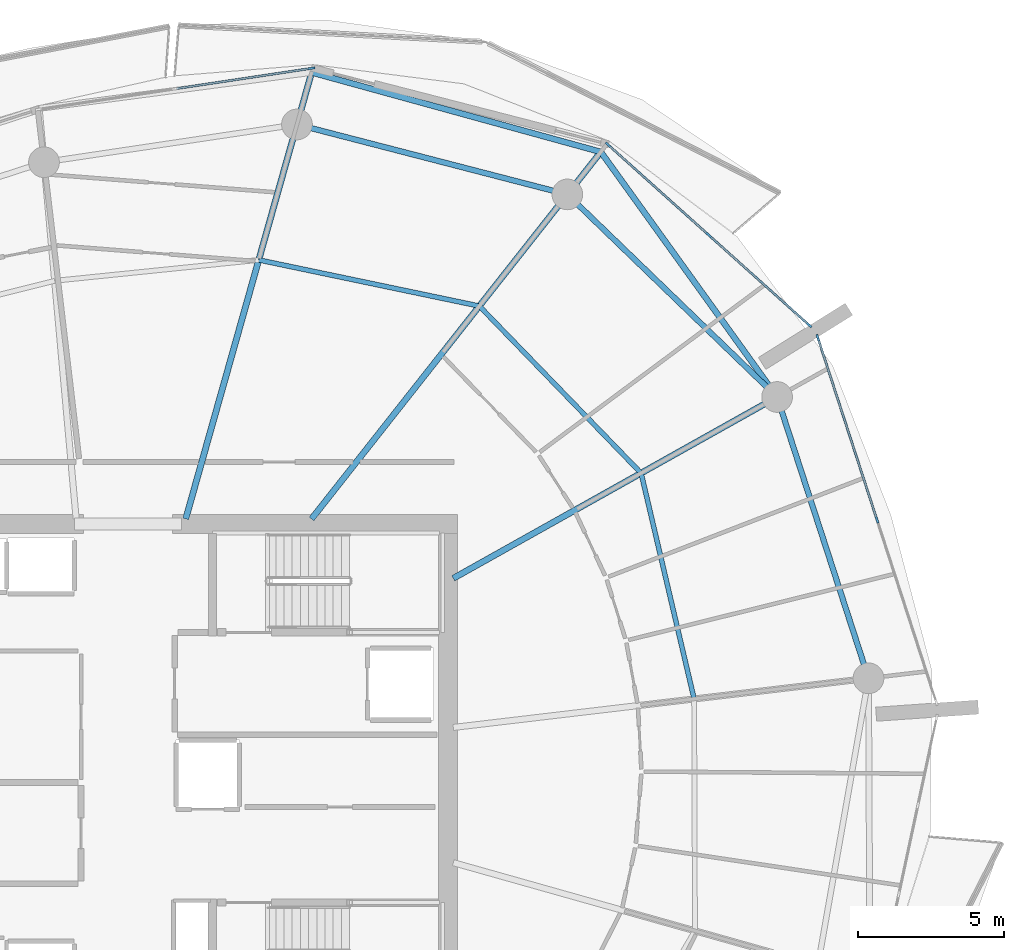
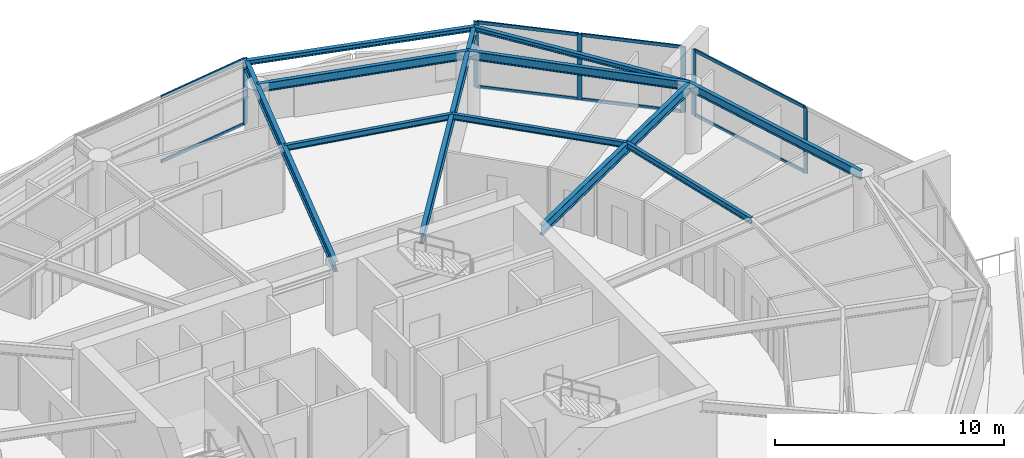
# One storey, part 9 of 20: 14 members, 11 beams, 3 elements without a shape of their own.
"""IFC4 building model written with IfcOpenShell, lengths in metres."""

from ifc_helpers import new_model, si_unit, direction, frame, origin, origin_2d, place, context, subcontext, project, spatial, rectangle, i_section, extrude, material, layer, layer_set, material_profile, profile_set, type_object, element, aggregate, save


model = new_model("IFC4")

# Units and contexts
model_context = context("Model", 3, precision=1e-05, world=origin(), true_north=direction((0.0, 1.0)))
body_context = subcontext(model_context, "Body", "Model", "MODEL_VIEW")
ifc_project = project(units=[si_unit("LENGTHUNIT", "METRE"), si_unit("AREAUNIT", "SQUARE_METRE"), si_unit("VOLUMEUNIT", "CUBIC_METRE"), si_unit("PLANEANGLEUNIT", "RADIAN"), si_unit("MASSUNIT", "GRAM", prefix="KILO")], contexts=[model_context])

# Site, building, storey
site_placement = place(None, origin())
site = spatial("IfcSite", under=ifc_project, at=site_placement, CompositionType="ELEMENT")
building_placement = place(site_placement, origin())
building = spatial("IfcBuilding", under=site, at=building_placement, Name="Kazma Halo Residences", CompositionType="ELEMENT")
storey_placement = place(building_placement, frame((0.0, 0.0, 206.550048828125)))
storey = spatial("IfcBuildingStorey", under=building, at=storey_placement, Name="L52", CompositionType="ELEMENT", Elevation=206.550048828125)

# Beams
ifc_material_1 = material(Name="Steel S355", Category="steel")
ifc_material_profile_1 = material_profile(ifc_material_1, i_section(OverallWidth=0.201904296875, OverallDepth=0.2470703125, WebThickness=0.00732421875, FlangeThickness=0.010986328125, FilletRadius=0.011962890625, at=origin_2d()), Name="W250x49.1")
ifc_profile_set_1 = profile_set([ifc_material_profile_1], Name="Steel S355")
beam_type_1 = type_object("IfcBeamType", Name="BM-BAL-CANT", PredefinedType="BEAM", material=ifc_profile_set_1)
beam_1_placement = place(storey_placement, frame((70.625, 54.670654296875, 3.37646484375), z_axis=(-0.583963922576, 0.811779611181, 0.0), x_axis=(-0.811779611181, -0.583963922576, 0.0)))
element("IfcBeam", 1, at=beam_1_placement, inside=storey, type_object=beam_type_1, Name="L52 wave-balcony lead tie beam 01", PredefinedType="BEAM", context=body_context, shape_type="SweptSolid", body=[
    extrude(i_section(OverallWidth=0.201904296875, OverallDepth=0.2470703125, WebThickness=0.00732421875, FlangeThickness=0.010986328125, FilletRadius=0.011962890625, at=origin_2d()), origin(), (0.0, 0.0, 1.0), 10.324462890625),
])
beam_2_placement = place(storey_placement, frame((64.595947265625, 63.0517578125, 3.37646484375), z_axis=(-0.964197026197, 0.265186905169, 0.0), x_axis=(-0.265186905169, -0.964197026197, 0.0)))
element("IfcBeam", 2, at=beam_2_placement, inside=storey, type_object=beam_type_1, Name="L52 wave-balcony tie beam 02", PredefinedType="BEAM", context=body_context, shape_type="SweptSolid", body=[
    extrude(i_section(OverallWidth=0.201904296875, OverallDepth=0.2470703125, WebThickness=0.00732421875, FlangeThickness=0.010986328125, FilletRadius=0.011962890625, at=origin_2d()), origin(), (0.0, 0.0, 1.0), 10.258544921875),
])
ifc_material_profile_2 = material_profile(ifc_material_1, i_section(OverallWidth=0.208984375, OverallDepth=0.532958984375, WebThickness=0.01025390625, FlangeThickness=0.015625, FilletRadius=0.01611328125, at=origin_2d()), Name="W530x92")
ifc_profile_set_2 = profile_set([ifc_material_profile_2], Name="Steel S355")
beam_type_2 = type_object("IfcBeamType", Name="BM-RAD-W530", PredefinedType="BEAM", material=ifc_profile_set_2)
beam_3_placement = place(storey_placement, frame((59.550048828125, 48.46826171875, 3.2333984375), z_axis=(0.872491912539, 0.488628552742, 0.0), x_axis=(-0.488628552742, 0.872491912539, 0.0)))
element("IfcBeam", 3, at=beam_3_placement, inside=storey, type_object=beam_type_2, Name="L52 radial floor beam 01", PredefinedType="BEAM", context=body_context, shape_type="SweptSolid", body=[
    extrude(i_section(OverallWidth=0.208984375, OverallDepth=0.532958984375, WebThickness=0.01025390625, FlangeThickness=0.015625, FilletRadius=0.01611328125, at=origin_2d()), origin(), (0.0, 0.0, 1.0), 12.693359375),
])
beam_4_placement = place(storey_placement, frame((54.700927734375, 50.5, 3.2333984375), z_axis=(0.61909439419, 0.785316580165, 0.0), x_axis=(-0.785316580165, 0.61909439419, 0.0)))
element("IfcBeam", 4, at=beam_4_placement, inside=storey, type_object=beam_type_2, Name="L52 radial floor beam 02", PredefinedType="BEAM", context=body_context, shape_type="SweptSolid", body=[
    extrude(i_section(OverallWidth=0.208984375, OverallDepth=0.532958984375, WebThickness=0.01025390625, FlangeThickness=0.015625, FilletRadius=0.01611328125, at=origin_2d()), origin(), (0.0, 0.0, 1.0), 15.983154296875),
])
beam_5_placement = place(storey_placement, frame((50.397216796875, 50.5, 3.2333984375), z_axis=(0.271449932859, 0.962452561922, 0.0), x_axis=(-0.962452561922, 0.271449932859, 0.0)))
element("IfcBeam", 5, at=beam_5_placement, inside=storey, type_object=beam_type_2, Name="L52 radial floor beam 03", PredefinedType="BEAM", context=body_context, shape_type="SweptSolid", body=[
    extrude(i_section(OverallWidth=0.208984375, OverallDepth=0.532958984375, WebThickness=0.01025390625, FlangeThickness=0.015625, FilletRadius=0.01611328125, at=origin_2d()), origin(), (0.0, 0.0, 1.0), 15.867919921875),
])
ifc_material_profile_3 = material_profile(ifc_material_1, i_section(OverallWidth=0.1650390625, OverallDepth=0.31005859375, WebThickness=0.005859375, FlangeThickness=0.009765625, FilletRadius=0.011962890625, at=origin_2d()), Name="W310x38.7")
ifc_profile_set_3 = profile_set([ifc_material_profile_3], Name="Steel S355")
beam_type_3 = type_object("IfcBeamType", Name="BM-SEC-W310B", PredefinedType="JOIST", material=ifc_profile_set_3)
beam_6_placement = place(storey_placement, frame((65.9736328125, 52.065673828125, 3.344970703125), z_axis=(-0.695659633946, 0.718371542934, 0.0), x_axis=(-0.718371542934, -0.695659633946, 0.0)))
element("IfcBeam", 6, at=beam_6_placement, inside=storey, type_object=beam_type_3, Name="L52 circumferential floor joist 01", PredefinedType="JOIST", context=body_context, shape_type="SweptSolid", body=[
    extrude(i_section(OverallWidth=0.1650390625, OverallDepth=0.31005859375, WebThickness=0.005859375, FlangeThickness=0.009765625, FilletRadius=0.011962890625, at=origin_2d()), origin(), (0.0, 0.0, 1.0), 7.95458984375),
])
beam_7_placement = place(storey_placement, frame((60.43994140625, 57.780029296875, 3.344970703125), z_axis=(-0.978821484976, 0.204715657802, 0.0), x_axis=(-0.204715657802, -0.978821484976, 0.0)))
element("IfcBeam", 7, at=beam_7_placement, inside=storey, type_object=beam_type_3, Name="L52 circumferential floor joist 02", PredefinedType="JOIST", context=body_context, shape_type="SweptSolid", body=[
    extrude(i_section(OverallWidth=0.1650390625, OverallDepth=0.31005859375, WebThickness=0.005859375, FlangeThickness=0.009765625, FilletRadius=0.011962890625, at=origin_2d()), origin(), (0.0, 0.0, 1.0), 7.707763671875),
])
beam_8_placement = place(storey_placement, frame((67.787109375, 44.341796875, 3.344970703125), z_axis=(-0.228572787048, 0.973526826041, 0.0), x_axis=(-0.973526826041, -0.228572787048, 0.0)))
element("IfcBeam", 8, at=beam_8_placement, inside=storey, type_object=beam_type_3, Name="L52 circumferential floor joist 16", PredefinedType="JOIST", context=body_context, shape_type="SweptSolid", body=[
    extrude(i_section(OverallWidth=0.1650390625, OverallDepth=0.31005859375, WebThickness=0.005859375, FlangeThickness=0.009765625, FilletRadius=0.011962890625, at=origin_2d()), origin(), (0.0, 0.0, 1.0), 7.933837890625),
])
ifc_material_profile_4 = material_profile(ifc_material_1, i_section(OverallWidth=0.18994140625, OverallDepth=0.45703125, WebThickness=0.009033203125, FlangeThickness=0.014404296875, FilletRadius=0.01611328125, at=origin_2d()), Name="W460x74")
ifc_profile_set_4 = profile_set([ifc_material_profile_4], Name="Steel S355")
beam_type_4 = type_object("IfcBeamType", Name="BM-SPN-W460", PredefinedType="BEAM", material=ifc_profile_set_4)
beam_9_placement = place(storey_placement, frame((70.625, 54.670654296875, 3.271484375), z_axis=(-0.71933650181, 0.694661786169, 0.0), x_axis=(-0.694661786169, -0.71933650181, 0.0)))
element("IfcBeam", 9, at=beam_9_placement, inside=storey, type_object=beam_type_4, Name="L52 perimeter ring beam 01", PredefinedType="BEAM", context=body_context, shape_type="SweptSolid", body=[
    extrude(i_section(OverallWidth=0.18994140625, OverallDepth=0.45703125, WebThickness=0.009033203125, FlangeThickness=0.014404296875, FilletRadius=0.01611328125, at=origin_2d()), origin(), (0.0, 0.0, 1.0), 9.9736328125),
])
beam_10_placement = place(storey_placement, frame((63.45068359375, 61.598876953125, 3.271484375), z_axis=(-0.968120950739, 0.25048318255, 0.0), x_axis=(-0.25048318255, -0.968120950739, 0.0)))
element("IfcBeam", 10, at=beam_10_placement, inside=storey, type_object=beam_type_4, Name="L52 perimeter ring beam 02", PredefinedType="BEAM", context=body_context, shape_type="SweptSolid", body=[
    extrude(i_section(OverallWidth=0.18994140625, OverallDepth=0.45703125, WebThickness=0.009033203125, FlangeThickness=0.014404296875, FilletRadius=0.01611328125, at=origin_2d()), origin(), (0.0, 0.0, 1.0), 9.552734375),
])
beam_11_placement = place(storey_placement, frame((73.751708984375, 45.0478515625, 3.271484375), z_axis=(-0.309023327426, 0.951054458539, 0.0), x_axis=(-0.951054458539, -0.309023327426, 0.0)))
element("IfcBeam", 11, at=beam_11_placement, inside=storey, type_object=beam_type_4, Name="L52 perimeter ring beam 16", PredefinedType="BEAM", context=body_context, shape_type="SweptSolid", body=[
    extrude(i_section(OverallWidth=0.18994140625, OverallDepth=0.45703125, WebThickness=0.009033203125, FlangeThickness=0.014404296875, FilletRadius=0.01611328125, at=origin_2d()), origin(), (0.0, 0.0, 1.0), 10.117919921875),
])

# Curtain wall, members
ifc_material_2 = material(Name="Aluminium AW-6063 T6 and Triple-Silver Low-E Glass", Category="aluminium")
ifc_layer = layer(ifc_material_2, 0.219970703125)
ifc_layer_set = layer_set([ifc_layer], Name="Aluminium AW-6063 T6 and Triple-Silver Low-E Glass")
curtain_wall_type = type_object("IfcCurtainWallType", Name="CW-SYS-4", PredefinedType="NOTDEFINED", material=ifc_layer_set)
curtain_wall_1_placement = place(storey_placement, origin())
curtain_wall_1 = element("IfcCurtainWall", 12, at=curtain_wall_1_placement, inside=storey, type_object=curtain_wall_type, Name="L52 unitised curtain wall B01", PredefinedType="NOTDEFINED")
ifc_material_3 = material(Name="Aluminium AW-6063 T6", Category="aluminium")
ifc_material_profile_5 = material_profile(ifc_material_3, rectangle(XDim=0.074951171875, YDim=0.219970703125, at=origin_2d()), Name="CWM-75x220")
ifc_profile_set_5 = profile_set([ifc_material_profile_5], Name="Aluminium AW-6063 T6")
member_type_1 = type_object("IfcMemberType", Name="CW-SYS-4-MUL", PredefinedType="MULLION", material=ifc_profile_set_5)
member_1_placement = place(storey_placement, frame((71.7216796875, 57.126220703125, 0.0), z_axis=(0.0, 0.0, 1.0), x_axis=(-0.667784328806, -0.744354814723, 0.0)))
member_1 = element("IfcMember", 13, at=member_1_placement, type_object=member_type_1, Name="CWS-4 mullion 1", PredefinedType="MULLION", context=body_context, shape_type="SweptSolid", body=[
    extrude(rectangle(XDim=0.074951171875, YDim=0.219970703125, at=origin_2d()), origin(), (0.0, 0.0, 1.0), 3.5),
])
member_2_placement = place(storey_placement, frame((68.280517578125, 60.213134765625, 0.0), z_axis=(0.0, 0.0, 1.0), x_axis=(-0.667784328806, -0.744354814723, 0.0)))
member_2 = element("IfcMember", 14, at=member_2_placement, type_object=member_type_1, Name="CWS-4 mullion 2", PredefinedType="MULLION", context=body_context, shape_type="SweptSolid", body=[
    extrude(rectangle(XDim=0.074951171875, YDim=0.219970703125, at=origin_2d()), origin(), (0.0, 0.0, 1.0), 3.5),
])
member_3_placement = place(storey_placement, frame((64.839599609375, 63.30029296875, 0.0), z_axis=(0.0, 0.0, 1.0), x_axis=(-0.667784328806, -0.744354814723, 0.0)))
member_3 = element("IfcMember", 15, at=member_3_placement, type_object=member_type_1, Name="CWS-4 mullion 3", PredefinedType="MULLION", context=body_context, shape_type="SweptSolid", body=[
    extrude(rectangle(XDim=0.074951171875, YDim=0.219970703125, at=origin_2d()), origin(), (0.0, 0.0, 1.0), 3.5),
])

# Curtain wall, member
curtain_wall_2_placement = place(storey_placement, origin())
curtain_wall_2 = element("IfcCurtainWall", 16, at=curtain_wall_2_placement, inside=storey, type_object=curtain_wall_type, Name="L52 unitised curtain wall B03", PredefinedType="NOTDEFINED")
member_4_placement = place(storey_placement, frame((54.708740234375, 65.913330078125, 0.0), z_axis=(0.0, 0.0, 1.0), x_axis=(0.148772639188, -0.988871428361, 0.0)))
member_4 = element("IfcMember", 17, at=member_4_placement, type_object=member_type_1, Name="CWS-4 mullion 1", PredefinedType="MULLION", context=body_context, shape_type="SweptSolid", body=[
    extrude(rectangle(XDim=0.074951171875, YDim=0.219970703125, at=origin_2d()), origin(), (0.0, 0.0, 1.0), 3.5),
])

# Curtain wall, members
curtain_wall_3_placement = place(storey_placement, origin())
curtain_wall_3 = element("IfcCurtainWall", 18, at=curtain_wall_3_placement, inside=storey, type_object=curtain_wall_type, Name="L52 unitised curtain wall B16", PredefinedType="NOTDEFINED")
member_5_placement = place(storey_placement, frame((74.04345703125, 50.4619140625, 0.0), z_axis=(0.0, 0.0, 1.0), x_axis=(-0.951056893636, -0.309015833038, 0.0)))
member_5 = element("IfcMember", 19, at=member_5_placement, type_object=member_type_1, Name="CWS-4 mullion 2", PredefinedType="MULLION", context=body_context, shape_type="SweptSolid", body=[
    extrude(rectangle(XDim=0.074951171875, YDim=0.219970703125, at=origin_2d()), origin(), (0.0, 0.0, 1.0), 3.5),
])
member_6_placement = place(storey_placement, frame((72.015625, 56.702880859375, 0.0), z_axis=(0.0, 0.0, 1.0), x_axis=(-0.951056893636, -0.309015833038, 0.0)))
member_6 = element("IfcMember", 20, at=member_6_placement, type_object=member_type_1, Name="CWS-4 mullion 3", PredefinedType="MULLION", context=body_context, shape_type="SweptSolid", body=[
    extrude(rectangle(XDim=0.074951171875, YDim=0.219970703125, at=origin_2d()), origin(), (0.0, 0.0, 1.0), 3.5),
])

# Member
ifc_material_profile_6 = material_profile(ifc_material_3, rectangle(XDim=0.074951171875, YDim=0.1650390625, at=origin_2d()), Name="CWT-75x165")
ifc_profile_set_6 = profile_set([ifc_material_profile_6], Name="Aluminium AW-6063 T6")
member_type_2 = type_object("IfcMemberType", Name="CW-SYS-4-TRN", PredefinedType="USERDEFINED", material=ifc_profile_set_6)
member_7_placement = place(storey_placement, frame((71.69384765625, 57.151123046875, 0.037353515625), z_axis=(-0.744344906673, 0.667795372783, 0.0), x_axis=(-0.667795372783, -0.744344906673, 0.0)))
member_7 = element("IfcMember", 21, at=member_7_placement, type_object=member_type_2, Name="CWS-4 transom 1.1", ObjectType="TRANSOM", PredefinedType="USERDEFINED", context=body_context, shape_type="SweptSolid", body=[
    extrude(rectangle(XDim=0.074951171875, YDim=0.1650390625, at=origin_2d()), origin(), (0.0, 0.0, 1.0), 4.5478515625),
])

member_8_placement = place(storey_placement, frame((71.69384765625, 57.151123046875, 3.46240234375), z_axis=(-0.744344906673, 0.667795372783, 0.0), x_axis=(-0.667795372783, -0.744344906673, 0.0)))
member_8 = element("IfcMember", 22, at=member_8_placement, type_object=member_type_2, Name="CWS-4 transom 1.2", ObjectType="TRANSOM", PredefinedType="USERDEFINED", context=body_context, shape_type="SweptSolid", body=[
    extrude(rectangle(XDim=0.074951171875, YDim=0.1650390625, at=origin_2d()), origin(), (0.0, 0.0, 1.0), 4.5478515625),
])

member_9_placement = place(storey_placement, frame((68.252685546875, 60.23828125, 0.037353515625), z_axis=(-0.744344906673, 0.667795372783, 0.0), x_axis=(-0.667795372783, -0.744344906673, 0.0)))
member_9 = element("IfcMember", 23, at=member_9_placement, type_object=member_type_2, Name="CWS-4 transom 2.1", ObjectType="TRANSOM", PredefinedType="USERDEFINED", context=body_context, shape_type="SweptSolid", body=[
    extrude(rectangle(XDim=0.074951171875, YDim=0.1650390625, at=origin_2d()), origin(), (0.0, 0.0, 1.0), 4.5478515625),
])

member_10_placement = place(storey_placement, frame((68.252685546875, 60.23828125, 3.46240234375), z_axis=(-0.744344906673, 0.667795372783, 0.0), x_axis=(-0.667795372783, -0.744344906673, 0.0)))
member_10 = element("IfcMember", 24, at=member_10_placement, type_object=member_type_2, Name="CWS-4 transom 2.2", ObjectType="TRANSOM", PredefinedType="USERDEFINED", context=body_context, shape_type="SweptSolid", body=[
    extrude(rectangle(XDim=0.074951171875, YDim=0.1650390625, at=origin_2d()), origin(), (0.0, 0.0, 1.0), 4.5478515625),
])

aggregate(curtain_wall_1, [member_1, member_2, member_3, member_7, member_8, member_9, member_10])

member_11_placement = place(storey_placement, frame((54.671630859375, 65.907958984375, 0.037353515625), z_axis=(-0.988867623216, -0.148797929272, 0.0), x_axis=(0.148797929272, -0.988867623216, 0.0)))
member_11 = element("IfcMember", 25, at=member_11_placement, type_object=member_type_2, Name="CWS-4 transom 1.1", ObjectType="TRANSOM", PredefinedType="USERDEFINED", context=body_context, shape_type="SweptSolid", body=[
    extrude(rectangle(XDim=0.074951171875, YDim=0.1650390625, at=origin_2d()), origin(), (0.0, 0.0, 1.0), 4.64501953125),
])

member_12_placement = place(storey_placement, frame((54.671630859375, 65.907958984375, 3.46240234375), z_axis=(-0.988867623216, -0.148797929272, 0.0), x_axis=(0.148797929272, -0.988867623216, 0.0)))
member_12 = element("IfcMember", 26, at=member_12_placement, type_object=member_type_2, Name="CWS-4 transom 1.2", ObjectType="TRANSOM", PredefinedType="USERDEFINED", context=body_context, shape_type="SweptSolid", body=[
    extrude(rectangle(XDim=0.074951171875, YDim=0.1650390625, at=origin_2d()), origin(), (0.0, 0.0, 1.0), 4.64501953125),
])

aggregate(curtain_wall_2, [member_4, member_11, member_12])

member_13_placement = place(storey_placement, frame((74.031982421875, 50.49755859375, 0.037353515625), z_axis=(-0.309015440644, 0.951057021132, 0.0), x_axis=(-0.951057021132, -0.309015440644, 0.0)))
member_13 = element("IfcMember", 27, at=member_13_placement, type_object=member_type_2, Name="CWS-4 transom 2.1", ObjectType="TRANSOM", PredefinedType="USERDEFINED", context=body_context, shape_type="SweptSolid", body=[
    extrude(rectangle(XDim=0.074951171875, YDim=0.1650390625, at=origin_2d()), origin(), (0.0, 0.0, 1.0), 6.487060546875),
])

member_14_placement = place(storey_placement, frame((74.031982421875, 50.49755859375, 3.46240234375), z_axis=(-0.309015440644, 0.951057021132, 0.0), x_axis=(-0.951057021132, -0.309015440644, 0.0)))
member_14 = element("IfcMember", 28, at=member_14_placement, type_object=member_type_2, Name="CWS-4 transom 2.2", ObjectType="TRANSOM", PredefinedType="USERDEFINED", context=body_context, shape_type="SweptSolid", body=[
    extrude(rectangle(XDim=0.074951171875, YDim=0.1650390625, at=origin_2d()), origin(), (0.0, 0.0, 1.0), 6.487060546875),
])

aggregate(curtain_wall_3, [member_5, member_6, member_13, member_14])

save(model, "model.ifc")
